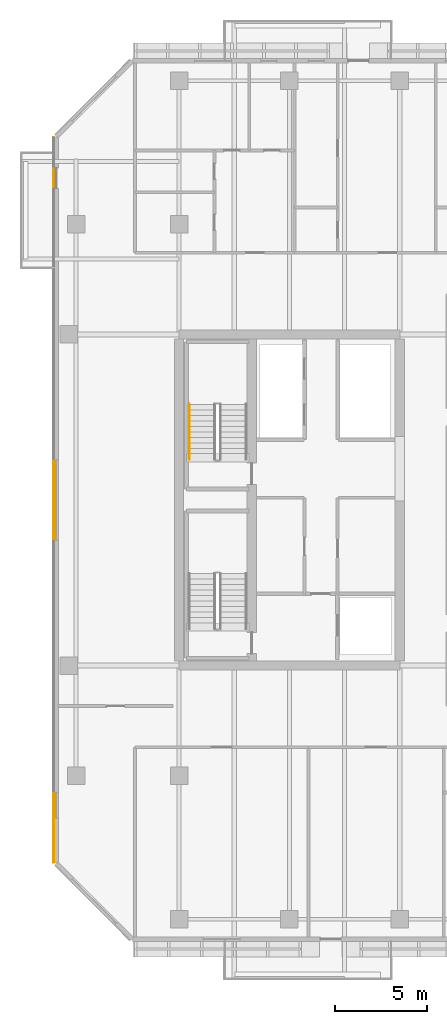
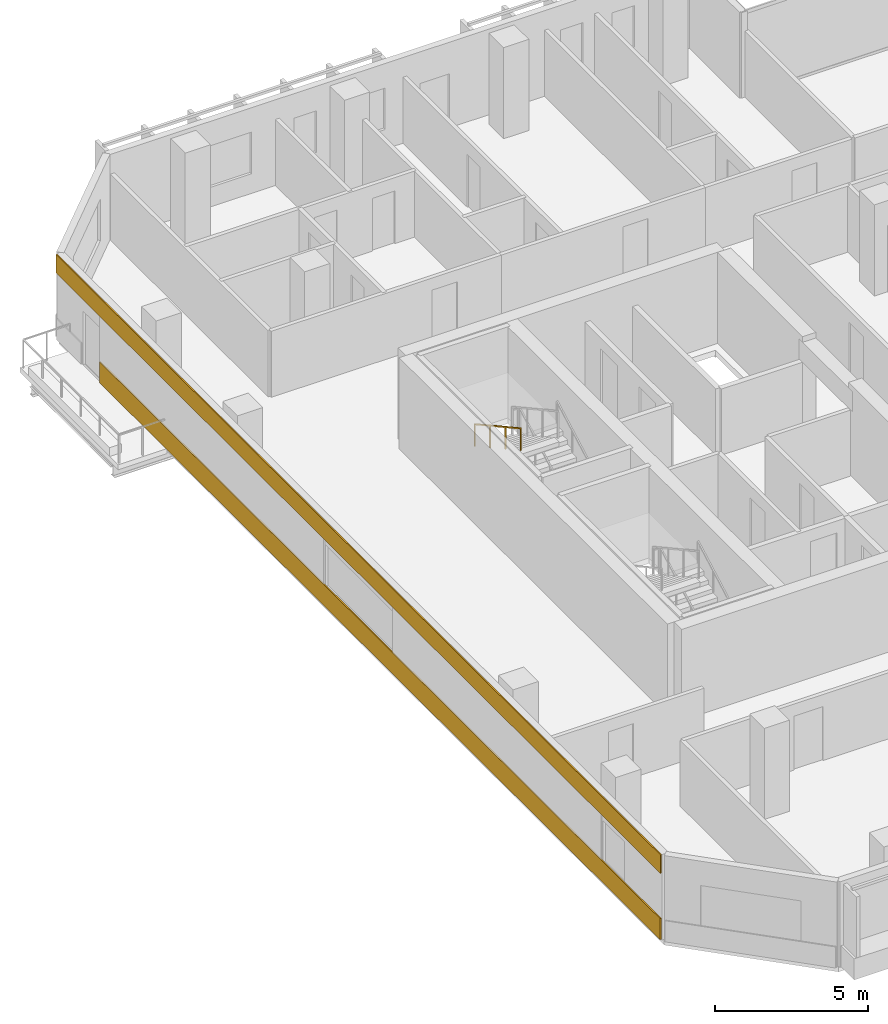
# One storey, part 18 of 22: 2 coverings, 1 railing.
"""IFC4 building model written with IfcOpenShell, lengths in metres."""

import ifcopenshell
import ifcopenshell.guid

model = None  # the IFC model being written
_history = None  # IfcOwnerHistory: only IFC2X3 demands one
_inside = {}  # id of a spatial element -> (the spatial element, [elements in it])
_under = {}  # id of a project, library or spatial element -> (it, [spatial elements below it])
_declared = {}  # id of a project -> (the project, [libraries it declares])
_typed = {}  # id of a type object -> (the type object, [elements of that type])
_made_of = {}  # id of a material, layer set ... -> (it, [elements and type objects made of it])


def new_model(schema):
    """Start an empty IFC model of exactly this schema.

    Asked for "IFC4X3", IfcOpenShell would pick the latest addendum, in which some entities
    have other attributes; the version numbers below select the first issue.
    IFC2X3 requires an IfcOwnerHistory on every rooted entity: one is made here for all.
    """
    global model, _history
    if schema == "IFC4X3":
        model = ifcopenshell.file(schema_version=(4, 3, 0, 0))
    else:
        model = ifcopenshell.file(schema=schema)
    _inside.clear()
    _under.clear()
    _declared.clear()
    _typed.clear()
    _made_of.clear()
    _history = None
    if model.schema == "IFC2X3":
        org = make("IfcOrganization", Name="unknown")
        user = make(
            "IfcPersonAndOrganization",
            ThePerson=make("IfcPerson", FamilyName="unknown"),
            TheOrganization=org,
        )
        app = make(
            "IfcApplication",
            ApplicationDeveloper=org,
            Version="unknown",
            ApplicationFullName="unknown",
            ApplicationIdentifier="unknown",
        )
        _history = make(
            "IfcOwnerHistory",
            OwningUser=user,
            OwningApplication=app,
            ChangeAction="ADDED",
            CreationDate=0,
        )
    return model


def make(cls, **values):
    """One entity of the class cls with the attributes given. An attribute that is None is left unset."""
    return model.create_entity(
        cls, **{name: value for name, value in values.items() if value is not None}
    )


def rooted(cls, **values):
    """An entity with a GlobalId (a new one), such as an element, a storey or a relation."""
    return make(cls, GlobalId=ifcopenshell.guid.new(), OwnerHistory=_history, **values)


def si_unit(unit_type, name, prefix=None):
    """IfcSIUnit, for example si_unit("LENGTHUNIT", "METRE", prefix="MILLI")."""
    return make("IfcSIUnit", UnitType=unit_type, Prefix=prefix, Name=name)


def assignment(units):
    """IfcUnitAssignment: the units of a project."""
    return None if units is None else make("IfcUnitAssignment", Units=units)


def point(xyz):
    """IfcCartesianPoint."""
    return None if xyz is None else make("IfcCartesianPoint", Coordinates=xyz)


def direction(xyz):
    """IfcDirection."""
    return None if xyz is None else make("IfcDirection", DirectionRatios=xyz)


def frame(location, z_axis=None, x_axis=None):
    """IfcAxis2Placement3D, a coordinate frame: its origin and axes. An axis left out is left unset."""
    return make(
        "IfcAxis2Placement3D",
        Location=point(location),
        Axis=direction(z_axis),
        RefDirection=direction(x_axis),
    )


def frame_2d(location, x_axis=None):
    """IfcAxis2Placement2D, a coordinate frame in the plane: its origin and x axis."""
    return make(
        "IfcAxis2Placement2D", Location=point(location), RefDirection=direction(x_axis)
    )


def origin():
    """The frame at (0, 0, 0) with its axes left unset."""
    return frame((0.0, 0.0, 0.0))


def origin_2d():
    """The frame at (0, 0) in the plane with its x axis left unset."""
    return frame_2d((0.0, 0.0))


def place(relative_to, where):
    """IfcLocalPlacement: puts the frame where relative to a parent placement (None: the world)."""
    return make(
        "IfcLocalPlacement", PlacementRelTo=relative_to, RelativePlacement=where
    )


def context(
    kind, dimensions, precision=None, world=None, true_north=None, identifier=None
):
    """IfcGeometricRepresentationContext, for example the 3D "Model" context."""
    return make(
        "IfcGeometricRepresentationContext",
        ContextIdentifier=identifier,
        ContextType=kind,
        CoordinateSpaceDimension=dimensions,
        Precision=precision,
        WorldCoordinateSystem=world,
        TrueNorth=true_north,
    )


def subcontext(parent, identifier, kind, view, scale=None):
    """IfcGeometricRepresentationSubContext, for example "Body" below "Model"."""
    return make(
        "IfcGeometricRepresentationSubContext",
        ContextIdentifier=identifier,
        ContextType=kind,
        ParentContext=parent,
        TargetScale=scale,
        TargetView=view,
    )


def project(units=None, contexts=None):
    """IfcProject with its units and contexts."""
    return rooted(
        "IfcProject",
        Name="project",
        RepresentationContexts=contexts,
        UnitsInContext=assignment(units),
    )


def spatial(cls, under=None, at=None, **own):
    """A site, building, storey or space (cls), placed at a placement, below another one or the project."""
    s = rooted(cls, ObjectPlacement=at, **own)
    if under is not None:
        _under.setdefault(under.id(), (under, []))[1].append(s)
    return s


def profile(cls, at=None, kind="AREA", **sizes):
    """A parametric profile (cls). Its sizes go by their IFC names, for example OverallWidth=200.0."""
    return make(cls, ProfileType=kind, Position=at, **sizes)


def rectangle(**sizes):
    """IfcRectangleProfileDef."""
    return profile("IfcRectangleProfileDef", **sizes)


def extrude(swept, where, along, depth):
    """IfcExtrudedAreaSolid: the profile swept, set in the frame where, extruded along a direction by depth."""
    return make(
        "IfcExtrudedAreaSolid",
        SweptArea=swept,
        Position=where,
        ExtrudedDirection=direction(along),
        Depth=depth,
    )


def shape(context_of_items, identifier, shape_type, items):
    """IfcShapeRepresentation: the items that make up one representation, for example the "Body"."""
    return make(
        "IfcShapeRepresentation",
        ContextOfItems=context_of_items,
        RepresentationIdentifier=identifier,
        RepresentationType=shape_type,
        Items=items,
    )


def material(Name=None, Category=None):
    """IfcMaterial."""
    return make("IfcMaterial", Name=Name, Category=Category)


def layer(
    of_material, thickness, ventilated=None, Name=None, Category=None, Priority=None
):
    """IfcMaterialLayer: one layer of a wall or slab, of a material (None: an air gap)."""
    return make(
        "IfcMaterialLayer",
        Material=of_material,
        LayerThickness=thickness,
        IsVentilated=ventilated,
        Name=Name,
        Category=Category,
        Priority=Priority,
    )


def layer_set(layers, Name=None):
    """IfcMaterialLayerSet."""
    return make("IfcMaterialLayerSet", MaterialLayers=layers, LayerSetName=Name)


def made_of(thing, what):
    """Note that an element or type object is made of a material, layer set ...; save() writes the relation."""
    if what is not None:
        _made_of.setdefault(what.id(), (what, []))[1].append(thing)
    return thing


def type_object(cls, material=None, **own):
    """A type object (cls), such as IfcWallType, which elements share."""
    return made_of(rooted(cls, **own), material)


def element(
    cls,
    number,
    at=None,
    inside=None,
    cuts=None,
    type_object=None,
    material=None,
    context=None,
    identifier="Body",
    shape_type=None,
    held_by="IfcProductDefinitionShape",
    body=None,
    shapes=None,
    **own,
):
    """One element of the class cls, such as IfcWall. Its Tag is "e" and its number.

    at: its placement. inside: the storey or other place that contains it. cuts: it is an
    opening in that element (IfcRelVoidsElement). A single representation is given by context,
    identifier, shape_type and body (its items); several are given by shapes. held_by: the class
    of the entity that holds the representations. save() writes the other relations.
    """
    e = rooted(cls, Tag="e%d" % number, ObjectPlacement=at, **own)
    if body is not None:
        shapes = [shape(context, identifier, shape_type, body)]
    if shapes is not None:
        e.Representation = make(held_by, Representations=shapes)
    if inside is not None:
        _inside.setdefault(inside.id(), (inside, []))[1].append(e)
    if cuts is not None:
        rooted(
            "IfcRelVoidsElement", RelatingBuildingElement=cuts, RelatedOpeningElement=e
        )
    if type_object is not None:
        _typed.setdefault(type_object.id(), (type_object, []))[1].append(e)
    return made_of(e, material)


def aggregate(whole, parts):
    """IfcRelAggregates: a whole, such as a stair, and the parts it consists of."""
    return rooted("IfcRelAggregates", RelatingObject=whole, RelatedObjects=parts)


def save(model, path):
    """Write the relations noted so far, then the file.

    IfcRelAggregates (storeys below a building ...), IfcRelContainedInSpatialStructure (elements
    in a storey), IfcRelDefinesByType, IfcRelAssociatesMaterial and IfcRelDeclares: one each for
    every whole, place, type object, material and project.
    """
    for whole, parts in _under.values():
        aggregate(whole, parts)
    for where, things in _inside.values():
        rooted(
            "IfcRelContainedInSpatialStructure",
            RelatedElements=things,
            RelatingStructure=where,
        )
    for kind, things in _typed.values():
        rooted("IfcRelDefinesByType", RelatedObjects=things, RelatingType=kind)
    for what, things in _made_of.values():
        rooted("IfcRelAssociatesMaterial", RelatedObjects=things, RelatingMaterial=what)
    for by, libraries in _declared.values():
        rooted("IfcRelDeclares", RelatingContext=by, RelatedDefinitions=libraries)
    model.write(path)


model = new_model("IFC4")

# Units and contexts
model_context = context("Model", 3, precision=1e-05, world=origin(), true_north=direction((0.0, 1.0)))
body_context = subcontext(model_context, "Body", "Model", "MODEL_VIEW")
ifc_project = project(units=[si_unit("LENGTHUNIT", "METRE"), si_unit("AREAUNIT", "SQUARE_METRE"), si_unit("VOLUMEUNIT", "CUBIC_METRE"), si_unit("PLANEANGLEUNIT", "RADIAN"), si_unit("MASSUNIT", "GRAM", prefix="KILO")], contexts=[model_context])

# Site, building, storey
site_placement = place(None, origin())
site = spatial("IfcSite", under=ifc_project, at=site_placement, CompositionType="ELEMENT")
building_placement = place(site_placement, origin())
building = spatial("IfcBuilding", under=site, at=building_placement, Name="Tanjung Sevakor Pilgrim Tower", CompositionType="ELEMENT")
storey_placement = place(building_placement, frame((0.0, 0.0, 115.830078125)))
storey = spatial("IfcBuildingStorey", under=building, at=storey_placement, Name="L32", CompositionType="ELEMENT", Elevation=115.830078125)

# Coverings
ifc_material_1 = material(Name="Reconstructed Limestone Cladding", Category="masonry")
ifc_layer = layer(ifc_material_1, 0.044921875)
ifc_layer_set = layer_set([ifc_layer], Name="COV-CLAD-LIMESTONE")
covering_type = type_object("IfcCoveringType", Name="COV-CLAD-LIMESTONE", PredefinedType="CLADDING", material=ifc_layer_set)
covering_1_placement = place(storey_placement, frame((17.177490234375, 32.19091796875, 0.009765625), z_axis=(0.0, 0.0, 1.0), x_axis=(0.0, -1.0, 0.0)))
element("IfcCovering", 1, at=covering_1_placement, inside=storey, type_object=covering_type, Name="L32 Warm Limestone Sill Spandrel EW-L32-MAIN-15-2", PredefinedType="CLADDING", context=body_context, shape_type="SweptSolid", body=[
    extrude(rectangle(XDim=36.59814453125, YDim=0.044921875, at=origin_2d()), origin(), (0.0, 0.0, 1.0), 0.840087890625),
])
covering_2_placement = place(storey_placement, frame((17.177490234375, 33.60009765625, 2.66015625), z_axis=(0.0, 0.0, 1.0), x_axis=(0.0, -1.0, 0.0)))
element("IfcCovering", 2, at=covering_2_placement, inside=storey, type_object=covering_type, Name="L32 Warm Limestone Cornice Spandrel EW-L32-MAIN-15", PredefinedType="CLADDING", context=body_context, shape_type="SweptSolid", body=[
    extrude(rectangle(XDim=39.456298828125, YDim=0.044921875, at=origin_2d()), origin(), (0.0, 0.0, 1.0), 0.739990234375),
])

# Railing
ifc_material_2 = material(Name="Steel S355J2", Category="steel")
railing_type = type_object("IfcRailingType", Name="RL-STAIR-HAND", PredefinedType="HANDRAIL", material=ifc_material_2)
railing_placement = place(storey_placement, frame((24.550048828125, 38.800048828125, 1.97998046875)))
element("IfcRailing", 3, at=railing_placement, inside=storey, type_object=railing_type, Name="L32 TS-W2 stair handrail 2", PredefinedType="HANDRAIL", context=body_context, shape_type="SweptSolid", body=[
    extrude(rectangle(XDim=0.0479, YDim=0.0479), frame((0.0, 0.0, 0.8759765625), z_axis=(0.0, -0.876227952683, 0.48189685093), x_axis=(1.0, 0.0, 0.0)), (0.0, 0.0, 1.0), 3.423828125),
    extrude(rectangle(XDim=0.042, YDim=0.042), origin(), (0.0, 0.0, 1.0), 0.851806640625),
    extrude(rectangle(XDim=0.042, YDim=0.042), frame((0.0, -1.0, 0.550048828125)), (0.0, 0.0, 1.0), 0.851806640625),
    extrude(rectangle(XDim=0.042, YDim=0.042), frame((0.0, -2.0, 1.099853515625)), (0.0, 0.0, 1.0), 0.851806640625),
    extrude(rectangle(XDim=0.042, YDim=0.042), frame((0.0, -3.0, 1.64990234375)), (0.0, 0.0, 1.0), 0.851806640625),
])

save(model, "model.ifc")
